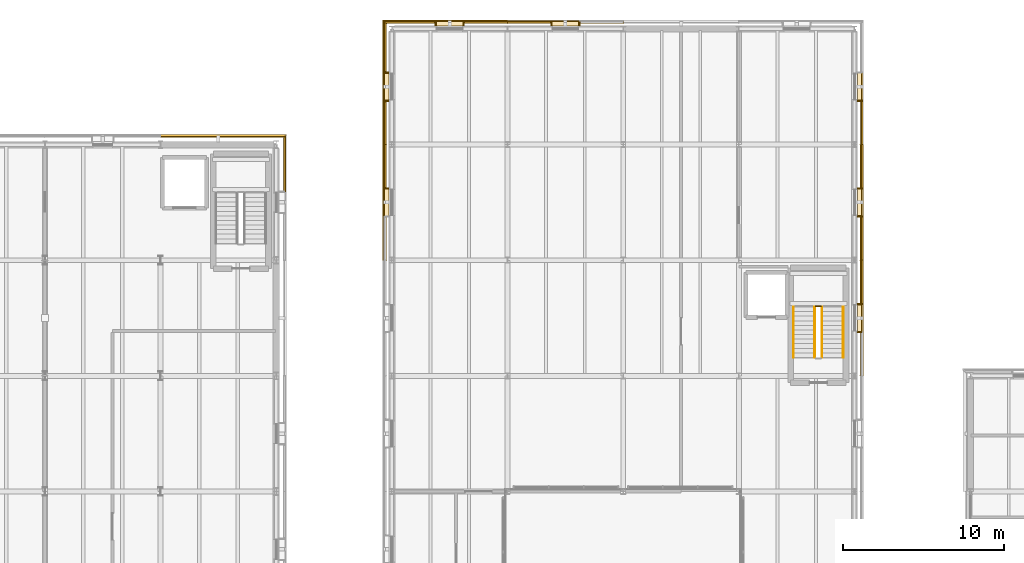
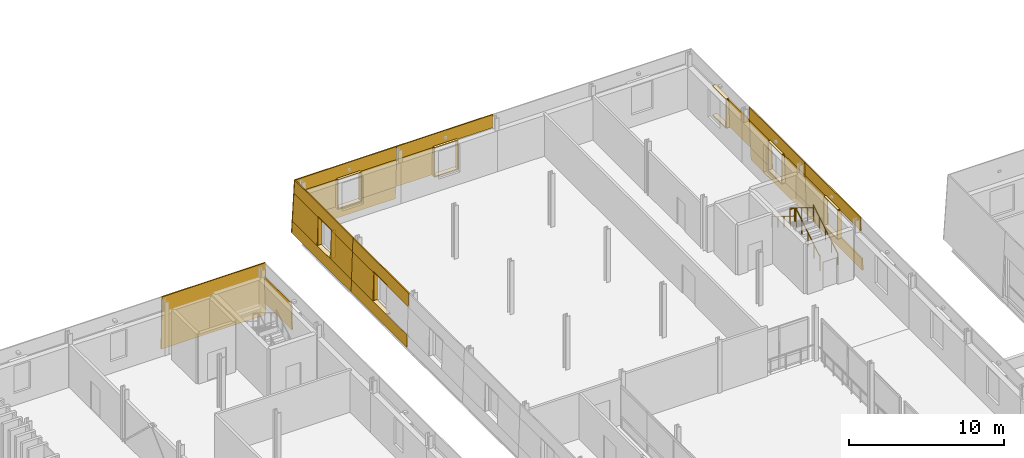
# One storey, part 84 of 91: 49 coverings, 5 railings.
"""IFC4 building model written with IfcOpenShell, lengths in metres."""

from ifc_helpers import new_model, si_unit, direction, frame, origin, origin_2d, place, context, subcontext, project, spatial, polyline, circle, outline, extrude, material, layer, layer_set, type_object, element, save


model = new_model("IFC4")

# Units and contexts
model_context = context("Model", 3, precision=1e-05, world=origin(), true_north=direction((0.0, 1.0)))
body_context = subcontext(model_context, "Body", "Model", "MODEL_VIEW")
ifc_project = project(units=[si_unit("LENGTHUNIT", "METRE"), si_unit("AREAUNIT", "SQUARE_METRE"), si_unit("VOLUMEUNIT", "CUBIC_METRE"), si_unit("PLANEANGLEUNIT", "RADIAN"), si_unit("MASSUNIT", "GRAM", prefix="KILO")], contexts=[model_context])

# Site, building, storey
site_placement = place(None, origin())
site = spatial("IfcSite", under=ifc_project, at=site_placement, CompositionType="ELEMENT")
building_placement = place(site_placement, origin())
building = spatial("IfcBuilding", under=site, at=building_placement, Name="Narikvali Park Central Library", CompositionType="ELEMENT")
storey_placement = place(building_placement, frame((0.0, 0.0, 14.39990234375)))
storey = spatial("IfcBuildingStorey", under=building, at=storey_placement, Name="L03", CompositionType="ELEMENT", Elevation=14.39990234375)

# Coverings
ifc_material_1 = material(Name="White Honed Limestone Cladding", Category="masonry")
ifc_layer_1 = layer(ifc_material_1, 0.0849609375, Name="White Honed Limestone Cladding")
ifc_layer_set_1 = layer_set([ifc_layer_1], Name="White Honed Limestone Cladding")
covering_type_1 = type_object("IfcCoveringType", Name="Battered White Limestone Facade Cladding Panel", PredefinedType="CLADDING", material=ifc_layer_set_1)
covering_1_placement = place(storey_placement, frame((58.15478515625, 93.60009765625, 0.0), z_axis=(0.999434023877, 0.0, 0.033639737186), x_axis=(0.0, 1.0, 0.0)))
element("IfcCovering", 1, at=covering_1_placement, inside=storey, type_object=covering_type_1, Name="V4 L03 E Battered Limestone Spandrel B06", PredefinedType="CLADDING", context=body_context, shape_type="SweptSolid", body=[
    extrude(outline(polyline([(0.0, 0.0), (7.199951171875, 0.0), (7.199951171875, 0.9507334049069504), (0.0, 0.9507334049069504), (0.0, 0.0)])), origin(), (0.0, 0.0, -1.0), 0.0849609375),
])
covering_2_placement = place(storey_placement, frame((58.048828125, 93.60009765625, 3.150146484375), z_axis=(0.999432197748, 0.0, 0.033693947611), x_axis=(0.0, 1.0, 0.0)))
element("IfcCovering", 2, at=covering_2_placement, inside=storey, type_object=covering_type_1, Name="V4 L03 E Battered Limestone Lintel B06", PredefinedType="CLADDING", context=body_context, shape_type="SweptSolid", body=[
    extrude(outline(polyline([(0.0, 0.0), (7.199951171875, 0.0), (7.199951171875, 1.0506453869422776), (0.0, 1.0506453869422776), (0.0, 0.0)])), origin(), (0.0, 0.0, -1.0), 0.0849609375),
])
covering_3_placement = place(storey_placement, frame((58.122802734375, 98.0400390625, 0.9501953125), z_axis=(0.999435139525, 0.0, 0.033606574995), x_axis=(0.0, 1.0, 0.0)))
element("IfcCovering", 3, at=covering_3_placement, inside=storey, type_object=covering_type_1, Name="V4 L03 E Battered Limestone Jamb Pier R B06", PredefinedType="CLADDING", context=body_context, shape_type="SweptSolid", body=[
    extrude(outline(polyline([(0.0, 0.0), (2.760009765625, 0.0), (2.760009765625, 2.201194539668489), (0.0, 2.201194539668489), (0.0, 0.0)])), origin(), (0.0, 0.0, -1.0), 0.0849609375),
])
covering_4_placement = place(storey_placement, frame((58.15478515625, 100.800048828125, 0.0), z_axis=(0.999434023877, 0.0, 0.033639737186), x_axis=(0.0, 1.0, 0.0)))
element("IfcCovering", 4, at=covering_4_placement, inside=storey, type_object=covering_type_1, Name="V4 L03 E Battered Limestone Spandrel B07", PredefinedType="CLADDING", context=body_context, shape_type="SweptSolid", body=[
    extrude(outline(polyline([(0.0, 0.0), (7.199951171875, 0.0), (7.199951171875, 0.9507334049069504), (0.0, 0.9507334049069504), (0.0, 0.0)])), origin(), (0.0, 0.0, -1.0), 0.0849609375),
])
covering_5_placement = place(storey_placement, frame((58.048828125, 100.800048828125, 3.150146484375), z_axis=(0.999432197748, 0.0, 0.033693947611), x_axis=(0.0, 1.0, 0.0)))
element("IfcCovering", 5, at=covering_5_placement, inside=storey, type_object=covering_type_1, Name="V4 L03 E Battered Limestone Lintel B07", PredefinedType="CLADDING", context=body_context, shape_type="SweptSolid", body=[
    extrude(outline(polyline([(0.0, 0.0), (7.199951171875, 0.0), (7.199951171875, 1.0506453869422776), (0.0, 1.0506453869422776), (0.0, 0.0)])), origin(), (0.0, 0.0, -1.0), 0.0849609375),
])
for number, where, z_axis, x_axis, name in (
    (6, (58.122802734375, 100.800048828125, 0.9501953125), (0.999435139525, 0.0, 0.033606574995), (0.0, 1.0, 0.0), "V4 L03 E Battered Limestone Jamb Pier L B07"),
    (7, (58.122802734375, 105.239990234375, 0.9501953125), (0.999435139525, 0.0, 0.033606574995), (0.0, 1.0, 0.0), "V4 L03 E Battered Limestone Jamb Pier R B07"),
    (8, (58.122802734375, 108.0, 0.9501953125), (0.999435139525, 0.0, 0.033606574995), (0.0, 1.0, 0.0), "V4 L03 E Battered Limestone Jamb Pier L B08"),
):
    element("IfcCovering", number, at=place(storey_placement, frame(where, z_axis=z_axis, x_axis=x_axis)), inside=storey, type_object=covering_type_1, Name=name, PredefinedType="CLADDING", context=body_context, shape_type="SweptSolid", body=[
        extrude(outline(polyline([(0.0, 0.0), (2.760009765625, 0.0), (2.760009765625, 2.201194539668489), (0.0, 2.201194539668489), (0.0, 0.0)])), origin(), (0.0, 0.0, -1.0), 0.0849609375),
    ])
covering_6_placement = place(storey_placement, frame((43.199951171875, 115.648681640625, 3.150146484375), z_axis=(0.0, 0.999439995942, 0.033461836646), x_axis=(-1.0, 0.0, 0.0)))
element("IfcCovering", 9, at=covering_6_placement, inside=storey, type_object=covering_type_1, Name="V4 L03 N Battered Limestone Lintel B03", PredefinedType="CLADDING", context=body_context, shape_type="SweptSolid", body=[
    extrude(outline(polyline([(0.0, 0.0), (7.199951171875, 0.0), (7.199951171875, 1.0506371892145967), (0.0, 1.0506371892145967), (0.0, 0.0)])), origin(), (0.0, 0.0, -1.0), 0.0849609375),
])
covering_7_placement = place(storey_placement, frame((38.760009765625, 115.722900390625, 0.9501953125), z_axis=(0.0, 0.999431408105, 0.033717361898), x_axis=(-1.0, 0.0, 0.0)))
element("IfcCovering", 10, at=covering_7_placement, inside=storey, type_object=covering_type_1, Name="V4 L03 N Battered Limestone Jamb Pier R B03", PredefinedType="CLADDING", context=body_context, shape_type="SweptSolid", body=[
    extrude(outline(polyline([(0.0, 0.0), (2.760009765625, 0.0), (2.760009765625, 2.2012027579225295), (0.0, 2.2012027579225295), (0.0, 0.0)])), origin(), (0.0, 0.0, -1.0), 0.0849609375),
])
covering_8_placement = place(storey_placement, frame((36.0, 115.7548828125, 0.0), z_axis=(0.0, 0.999434023877, 0.033639737186), x_axis=(-1.0, 0.0, 0.0)))
element("IfcCovering", 11, at=covering_8_placement, inside=storey, type_object=covering_type_1, Name="V4 L03 N Battered Limestone Spandrel B04", PredefinedType="CLADDING", context=body_context, shape_type="SweptSolid", body=[
    extrude(outline(polyline([(0.0, 0.0), (7.7548828125, 0.0), (7.722900390625, 0.9507334049069504), (0.0, 0.9507334049069504), (0.0, 0.0)])), origin(), (0.0, 0.0, -1.0), 0.0849609375),
])
covering_9_placement = place(storey_placement, frame((36.0, 115.648681640625, 3.150146484375), z_axis=(0.0, 0.999439995942, 0.033461836646), x_axis=(-1.0, 0.0, 0.0)))
element("IfcCovering", 12, at=covering_9_placement, inside=storey, type_object=covering_type_1, Name="V4 L03 N Battered Limestone Lintel B04", PredefinedType="CLADDING", context=body_context, shape_type="SweptSolid", body=[
    extrude(outline(polyline([(0.0, 0.0), (7.648681640625, 0.0), (7.613525390625, 1.0506371892145967), (0.0, 1.0506371892145967), (0.0, 0.0)])), origin(), (0.0, 0.0, -1.0), 0.0849609375),
])
covering_10_placement = place(storey_placement, frame((36.0, 115.722900390625, 0.9501953125), z_axis=(0.0, 0.999431408105, 0.033717361898), x_axis=(-1.0, 0.0, 0.0)))
element("IfcCovering", 13, at=covering_10_placement, inside=storey, type_object=covering_type_1, Name="V4 L03 N Battered Limestone Jamb Pier L B04", PredefinedType="CLADDING", context=body_context, shape_type="SweptSolid", body=[
    extrude(outline(polyline([(0.0, 0.0), (2.760009765625, 0.0), (2.760009765625, 2.2012027579225295), (0.0, 2.2012027579225295), (0.0, 0.0)])), origin(), (0.0, 0.0, -1.0), 0.0849609375),
])
covering_11_placement = place(storey_placement, frame((31.56005859375, 115.722900390625, 0.9501953125), z_axis=(0.0, 0.999431408105, 0.033717361898), x_axis=(-1.0, 0.0, 0.0)))
element("IfcCovering", 14, at=covering_11_placement, inside=storey, type_object=covering_type_1, Name="V4 L03 N Battered Limestone Jamb Pier R B04", PredefinedType="CLADDING", context=body_context, shape_type="SweptSolid", body=[
    extrude(outline(polyline([(0.0, 0.0), (3.282958984375, 0.0), (3.208740234375, 2.2012027579225295), (0.0, 2.2012027579225295), (0.0, 0.0)])), origin(), (0.0, 0.0, -1.0), 0.0849609375),
])
covering_12_placement = place(storey_placement, frame((28.2451171875, 115.669921875, 0.0), z_axis=(-0.999434023877, 0.0, 0.033639737186), x_axis=(0.0, -1.0, 0.0)))
element("IfcCovering", 15, at=covering_12_placement, inside=storey, type_object=covering_type_1, Name="V4 L03 W Battered Limestone Spandrel B01", PredefinedType="CLADDING", context=body_context, shape_type="SweptSolid", body=[
    extrude(outline(polyline([(0.0, 0.0), (7.669921875, 0.0), (7.669921875, 0.9507334049069504), (0.031982421875, 0.9507334049069504), (0.0, 0.0)])), origin(), (0.0, 0.0, -1.0), 0.0849609375),
])
covering_13_placement = place(storey_placement, frame((28.351318359375, 115.563720703125, 3.150146484375), z_axis=(-0.999439995942, 0.0, 0.033461836646), x_axis=(0.0, -1.0, 0.0)))
element("IfcCovering", 16, at=covering_13_placement, inside=storey, type_object=covering_type_1, Name="V4 L03 W Battered Limestone Lintel B01", PredefinedType="CLADDING", context=body_context, shape_type="SweptSolid", body=[
    extrude(outline(polyline([(0.0, 0.0), (7.563720703125, 0.0), (7.563720703125, 1.0506371892145967), (0.03515625, 1.0506371892145967), (0.0, 0.0)])), origin(), (0.0, 0.0, -1.0), 0.0849609375),
])
covering_14_placement = place(storey_placement, frame((28.277099609375, 115.637939453125, 0.9501953125), z_axis=(-0.999431408105, 0.0, 0.033717361898), x_axis=(0.0, -1.0, 0.0)))
element("IfcCovering", 17, at=covering_14_placement, inside=storey, type_object=covering_type_1, Name="V4 L03 W Battered Limestone Jamb Pier L B01", PredefinedType="CLADDING", context=body_context, shape_type="SweptSolid", body=[
    extrude(outline(polyline([(0.0, 0.0), (3.197998046875, 0.0), (3.197998046875, 2.201202757922529), (0.07421875, 2.201202757922529), (0.0, 0.0)])), origin(), (0.0, 0.0, -1.0), 0.0849609375),
])
covering_15_placement = place(storey_placement, frame((28.277099609375, 110.760009765625, 0.9501953125), z_axis=(-0.999431408105, 0.0, 0.033717361898), x_axis=(0.0, -1.0, 0.0)))
element("IfcCovering", 18, at=covering_15_placement, inside=storey, type_object=covering_type_1, Name="V4 L03 W Battered Limestone Jamb Pier R B01", PredefinedType="CLADDING", context=body_context, shape_type="SweptSolid", body=[
    extrude(outline(polyline([(0.0, 0.0), (2.760009765625, 0.0), (2.760009765625, 2.2012027579225295), (0.0, 2.2012027579225295), (0.0, 0.0)])), origin(), (0.0, 0.0, -1.0), 0.0849609375),
])
covering_16_placement = place(storey_placement, frame((28.2451171875, 108.0, 0.0), z_axis=(-0.999434023877, 0.0, 0.033639737186), x_axis=(0.0, -1.0, 0.0)))
element("IfcCovering", 19, at=covering_16_placement, inside=storey, type_object=covering_type_1, Name="V4 L03 W Battered Limestone Spandrel B02", PredefinedType="CLADDING", context=body_context, shape_type="SweptSolid", body=[
    extrude(outline(polyline([(0.0, 0.0), (7.199951171875, 0.0), (7.199951171875, 0.9507334049069504), (0.0, 0.9507334049069504), (0.0, 0.0)])), origin(), (0.0, 0.0, -1.0), 0.0849609375),
])
covering_17_placement = place(storey_placement, frame((28.351318359375, 108.0, 3.150146484375), z_axis=(-0.999439995942, 0.0, 0.033461836646), x_axis=(0.0, -1.0, 0.0)))
element("IfcCovering", 20, at=covering_17_placement, inside=storey, type_object=covering_type_1, Name="V4 L03 W Battered Limestone Lintel B02", PredefinedType="CLADDING", context=body_context, shape_type="SweptSolid", body=[
    extrude(outline(polyline([(0.0, 0.0), (7.199951171875, 0.0), (7.199951171875, 1.0506371892145967), (0.0, 1.0506371892145967), (0.0, 0.0)])), origin(), (0.0, 0.0, -1.0), 0.0849609375),
])
covering_18_placement = place(storey_placement, frame((28.277099609375, 108.0, 0.9501953125), z_axis=(-0.999431408105, 0.0, 0.033717361898), x_axis=(0.0, -1.0, 0.0)))
element("IfcCovering", 21, at=covering_18_placement, inside=storey, type_object=covering_type_1, Name="V4 L03 W Battered Limestone Jamb Pier L B02", PredefinedType="CLADDING", context=body_context, shape_type="SweptSolid", body=[
    extrude(outline(polyline([(0.0, 0.0), (2.760009765625, 0.0), (2.760009765625, 2.2012027579225295), (0.0, 2.2012027579225295), (0.0, 0.0)])), origin(), (0.0, 0.0, -1.0), 0.0849609375),
])
covering_19_placement = place(storey_placement, frame((22.20458984375, 105.0400390625, 0.9501953125), z_axis=(0.99959725493, 0.0, 0.028378300447), x_axis=(0.0, 1.0, 0.0)))
element("IfcCovering", 22, at=covering_19_placement, inside=storey, type_object=covering_type_1, Name="V5 L03 E Battered Limestone Jamb Pier R B11", PredefinedType="CLADDING", context=body_context, shape_type="SweptSolid", body=[
    extrude(outline(polyline([(0.0, 0.0), (3.4794921875, 0.0), (3.41845703125, 2.150768555182125), (0.0, 2.150768555182125), (0.0, 0.0)])), origin(), (0.0, 0.0, -1.0), 0.0849609375),
])
covering_20_placement = place(storey_placement, frame((22.2314453125, 108.631591796875, 0.0), z_axis=(0.0, 0.999596293445, 0.028412147611), x_axis=(-1.0, 0.0, 0.0)))
element("IfcCovering", 23, at=covering_20_placement, inside=storey, type_object=covering_type_1, Name="V5 L03 N Battered Limestone Panel B01", PredefinedType="CLADDING", context=body_context, shape_type="SweptSolid", body=[
    extrude(outline(polyline([(0.0, 0.0), (7.83154296875, 0.0), (7.83154296875, 4.201891643701716), (0.119140625, 4.201891643701716), (0.0, 0.0)])), origin(), (0.0, 0.0, -1.0), 0.0849609375),
])
ifc_layer_2 = layer(ifc_material_1, 0.080078125, Name="White Honed Limestone Cladding")
ifc_layer_set_2 = layer_set([ifc_layer_2], Name="White Honed Limestone Cladding")
covering_type_2 = type_object("IfcCoveringType", Name="Deep Carved White Limestone Window Reveal", PredefinedType="CLADDING", material=ifc_layer_set_2)
covering_21_placement = place(storey_placement, frame((0.0, 0.0, 3.150146484375)))
element("IfcCovering", 24, at=covering_21_placement, inside=storey, type_object=covering_type_2, Name="Deep Stone Reveal Head V4-RVL-L03-E-B06", PredefinedType="CLADDING", context=body_context, shape_type="SweptSolid", body=[
    extrude(outline(polyline([(57.784912109375, 96.320068359375), (57.784912109375, 98.080078125), (58.048828125, 98.080078125), (58.048828125, 96.320068359375), (57.784912109375, 96.320068359375)])), origin(), (0.0, 0.0, 1.0), 0.079833984375),
])
covering_22_placement = place(storey_placement, frame((0.0, 0.0, 0.8701171875)))
element("IfcCovering", 25, at=covering_22_placement, inside=storey, type_object=covering_type_2, Name="Deep Stone Reveal Sill V4-RVL-L03-E-B06", PredefinedType="CLADDING", context=body_context, shape_type="SweptSolid", body=[
    extrude(outline(polyline([(57.784912109375, 96.320068359375), (57.784912109375, 98.080078125), (58.122802734375, 98.080078125), (58.122802734375, 96.320068359375), (57.784912109375, 96.320068359375)])), origin(), (0.0, 0.0, 1.0), 0.080078125),
])
covering_23_placement = place(storey_placement, frame((0.0, 0.0, 0.9501953125)))
element("IfcCovering", 26, at=covering_23_placement, inside=storey, type_object=covering_type_2, Name="Deep Stone Reveal Jamb L V4-RVL-L03-E-B06", PredefinedType="CLADDING", context=body_context, shape_type="SweptSolid", body=[
    extrude(outline(polyline([(57.784912109375, 96.280029296875), (57.784912109375, 96.360107421875), (58.048828125, 96.360107421875), (58.048828125, 96.280029296875), (57.784912109375, 96.280029296875)])), origin(), (0.0, 0.0, 1.0), 2.199951171875),
])
covering_24_placement = place(storey_placement, frame((0.0, 0.0, 0.9501953125)))
element("IfcCovering", 27, at=covering_24_placement, inside=storey, type_object=covering_type_2, Name="Deep Stone Reveal Jamb R V4-RVL-L03-E-B06", PredefinedType="CLADDING", context=body_context, shape_type="SweptSolid", body=[
    extrude(outline(polyline([(57.784912109375, 98.0400390625), (57.784912109375, 98.1201171875), (58.048828125, 98.1201171875), (58.048828125, 98.0400390625), (57.784912109375, 98.0400390625)])), origin(), (0.0, 0.0, 1.0), 2.199951171875),
])
covering_25_placement = place(storey_placement, frame((0.0, 0.0, 3.150146484375)))
element("IfcCovering", 28, at=covering_25_placement, inside=storey, type_object=covering_type_2, Name="Deep Stone Reveal Head V4-RVL-L03-E-B07", PredefinedType="CLADDING", context=body_context, shape_type="SweptSolid", body=[
    extrude(outline(polyline([(57.784912109375, 103.52001953125), (57.784912109375, 105.280029296875), (58.048828125, 105.280029296875), (58.048828125, 103.52001953125), (57.784912109375, 103.52001953125)])), origin(), (0.0, 0.0, 1.0), 0.079833984375),
])
covering_26_placement = place(storey_placement, frame((0.0, 0.0, 0.8701171875)))
element("IfcCovering", 29, at=covering_26_placement, inside=storey, type_object=covering_type_2, Name="Deep Stone Reveal Sill V4-RVL-L03-E-B07", PredefinedType="CLADDING", context=body_context, shape_type="SweptSolid", body=[
    extrude(outline(polyline([(57.784912109375, 103.52001953125), (57.784912109375, 105.280029296875), (58.122802734375, 105.280029296875), (58.122802734375, 103.52001953125), (57.784912109375, 103.52001953125)])), origin(), (0.0, 0.0, 1.0), 0.080078125),
])
covering_27_placement = place(storey_placement, frame((0.0, 0.0, 0.9501953125)))
element("IfcCovering", 30, at=covering_27_placement, inside=storey, type_object=covering_type_2, Name="Deep Stone Reveal Jamb L V4-RVL-L03-E-B07", PredefinedType="CLADDING", context=body_context, shape_type="SweptSolid", body=[
    extrude(outline(polyline([(57.784912109375, 103.47998046875), (57.784912109375, 103.56005859375), (58.048828125, 103.56005859375), (58.048828125, 103.47998046875), (57.784912109375, 103.47998046875)])), origin(), (0.0, 0.0, 1.0), 2.199951171875),
])
covering_28_placement = place(storey_placement, frame((0.0, 0.0, 0.9501953125)))
element("IfcCovering", 31, at=covering_28_placement, inside=storey, type_object=covering_type_2, Name="Deep Stone Reveal Jamb R V4-RVL-L03-E-B07", PredefinedType="CLADDING", context=body_context, shape_type="SweptSolid", body=[
    extrude(outline(polyline([(57.784912109375, 105.239990234375), (57.784912109375, 105.320068359375), (58.048828125, 105.320068359375), (58.048828125, 105.239990234375), (57.784912109375, 105.239990234375)])), origin(), (0.0, 0.0, 1.0), 2.199951171875),
])
covering_29_placement = place(storey_placement, frame((0.0, 0.0, 3.150146484375)))
element("IfcCovering", 32, at=covering_29_placement, inside=storey, type_object=covering_type_2, Name="Deep Stone Reveal Head V4-RVL-L03-E-B08", PredefinedType="CLADDING", context=body_context, shape_type="SweptSolid", body=[
    extrude(outline(polyline([(57.784912109375, 110.719970703125), (57.784912109375, 112.47998046875), (58.048828125, 112.47998046875), (58.048828125, 110.719970703125), (57.784912109375, 110.719970703125)])), origin(), (0.0, 0.0, 1.0), 0.079833984375),
])
covering_30_placement = place(storey_placement, frame((0.0, 0.0, 0.8701171875)))
element("IfcCovering", 33, at=covering_30_placement, inside=storey, type_object=covering_type_2, Name="Deep Stone Reveal Sill V4-RVL-L03-E-B08", PredefinedType="CLADDING", context=body_context, shape_type="SweptSolid", body=[
    extrude(outline(polyline([(57.784912109375, 110.719970703125), (57.784912109375, 112.47998046875), (58.122802734375, 112.47998046875), (58.122802734375, 110.719970703125), (57.784912109375, 110.719970703125)])), origin(), (0.0, 0.0, 1.0), 0.080078125),
])
covering_31_placement = place(storey_placement, frame((0.0, 0.0, 0.9501953125)))
element("IfcCovering", 34, at=covering_31_placement, inside=storey, type_object=covering_type_2, Name="Deep Stone Reveal Jamb L V4-RVL-L03-E-B08", PredefinedType="CLADDING", context=body_context, shape_type="SweptSolid", body=[
    extrude(outline(polyline([(57.784912109375, 110.679931640625), (57.784912109375, 110.760009765625), (58.048828125, 110.760009765625), (58.048828125, 110.679931640625), (57.784912109375, 110.679931640625)])), origin(), (0.0, 0.0, 1.0), 2.199951171875),
])
covering_32_placement = place(storey_placement, frame((0.0, 0.0, 3.150146484375)))
element("IfcCovering", 35, at=covering_32_placement, inside=storey, type_object=covering_type_2, Name="Deep Stone Reveal Head V4-RVL-L03-N-B03", PredefinedType="CLADDING", context=body_context, shape_type="SweptSolid", body=[
    extrude(outline(polyline([(40.47998046875, 115.385009765625), (38.719970703125, 115.385009765625), (38.719970703125, 115.648681640625), (40.47998046875, 115.648681640625), (40.47998046875, 115.385009765625)])), origin(), (0.0, 0.0, 1.0), 0.079833984375),
])
covering_33_placement = place(storey_placement, frame((0.0, 0.0, 0.8701171875)))
element("IfcCovering", 36, at=covering_33_placement, inside=storey, type_object=covering_type_2, Name="Deep Stone Reveal Sill V4-RVL-L03-N-B03", PredefinedType="CLADDING", context=body_context, shape_type="SweptSolid", body=[
    extrude(outline(polyline([(40.47998046875, 115.385009765625), (38.719970703125, 115.385009765625), (38.719970703125, 115.722900390625), (40.47998046875, 115.722900390625), (40.47998046875, 115.385009765625)])), origin(), (0.0, 0.0, 1.0), 0.080078125),
])
covering_34_placement = place(storey_placement, frame((0.0, 0.0, 0.9501953125)))
element("IfcCovering", 37, at=covering_34_placement, inside=storey, type_object=covering_type_2, Name="Deep Stone Reveal Jamb L V4-RVL-L03-N-B03", PredefinedType="CLADDING", context=body_context, shape_type="SweptSolid", body=[
    extrude(outline(polyline([(40.52001953125, 115.385009765625), (40.43994140625, 115.385009765625), (40.43994140625, 115.648681640625), (40.52001953125, 115.648681640625), (40.52001953125, 115.385009765625)])), origin(), (0.0, 0.0, 1.0), 2.199951171875),
])
covering_35_placement = place(storey_placement, frame((0.0, 0.0, 0.9501953125)))
element("IfcCovering", 38, at=covering_35_placement, inside=storey, type_object=covering_type_2, Name="Deep Stone Reveal Jamb R V4-RVL-L03-N-B03", PredefinedType="CLADDING", context=body_context, shape_type="SweptSolid", body=[
    extrude(outline(polyline([(38.760009765625, 115.385009765625), (38.679931640625, 115.385009765625), (38.679931640625, 115.648681640625), (38.760009765625, 115.648681640625), (38.760009765625, 115.385009765625)])), origin(), (0.0, 0.0, 1.0), 2.199951171875),
])
covering_36_placement = place(storey_placement, frame((0.0, 0.0, 3.150146484375)))
element("IfcCovering", 39, at=covering_36_placement, inside=storey, type_object=covering_type_2, Name="Deep Stone Reveal Head V4-RVL-L03-N-B04", PredefinedType="CLADDING", context=body_context, shape_type="SweptSolid", body=[
    extrude(outline(polyline([(33.280029296875, 115.385009765625), (31.52001953125, 115.385009765625), (31.52001953125, 115.648681640625), (33.280029296875, 115.648681640625), (33.280029296875, 115.385009765625)])), origin(), (0.0, 0.0, 1.0), 0.079833984375),
])
covering_37_placement = place(storey_placement, frame((0.0, 0.0, 0.8701171875)))
element("IfcCovering", 40, at=covering_37_placement, inside=storey, type_object=covering_type_2, Name="Deep Stone Reveal Sill V4-RVL-L03-N-B04", PredefinedType="CLADDING", context=body_context, shape_type="SweptSolid", body=[
    extrude(outline(polyline([(33.280029296875, 115.385009765625), (31.52001953125, 115.385009765625), (31.52001953125, 115.722900390625), (33.280029296875, 115.722900390625), (33.280029296875, 115.385009765625)])), origin(), (0.0, 0.0, 1.0), 0.080078125),
])
covering_38_placement = place(storey_placement, frame((0.0, 0.0, 0.9501953125)))
element("IfcCovering", 41, at=covering_38_placement, inside=storey, type_object=covering_type_2, Name="Deep Stone Reveal Jamb L V4-RVL-L03-N-B04", PredefinedType="CLADDING", context=body_context, shape_type="SweptSolid", body=[
    extrude(outline(polyline([(33.320068359375, 115.385009765625), (33.239990234375, 115.385009765625), (33.239990234375, 115.648681640625), (33.320068359375, 115.648681640625), (33.320068359375, 115.385009765625)])), origin(), (0.0, 0.0, 1.0), 2.199951171875),
])
covering_39_placement = place(storey_placement, frame((0.0, 0.0, 0.9501953125)))
element("IfcCovering", 42, at=covering_39_placement, inside=storey, type_object=covering_type_2, Name="Deep Stone Reveal Jamb R V4-RVL-L03-N-B04", PredefinedType="CLADDING", context=body_context, shape_type="SweptSolid", body=[
    extrude(outline(polyline([(31.56005859375, 115.385009765625), (31.47998046875, 115.385009765625), (31.47998046875, 115.648681640625), (31.56005859375, 115.648681640625), (31.56005859375, 115.385009765625)])), origin(), (0.0, 0.0, 1.0), 2.199951171875),
])
covering_40_placement = place(storey_placement, frame((0.0, 0.0, 3.150146484375)))
element("IfcCovering", 43, at=covering_40_placement, inside=storey, type_object=covering_type_2, Name="Deep Stone Reveal Head V4-RVL-L03-W-B01", PredefinedType="CLADDING", context=body_context, shape_type="SweptSolid", body=[
    extrude(outline(polyline([(28.614990234375, 112.47998046875), (28.614990234375, 110.719970703125), (28.351318359375, 110.719970703125), (28.351318359375, 112.47998046875), (28.614990234375, 112.47998046875)])), origin(), (0.0, 0.0, 1.0), 0.079833984375),
])
covering_41_placement = place(storey_placement, frame((0.0, 0.0, 0.8701171875)))
element("IfcCovering", 44, at=covering_41_placement, inside=storey, type_object=covering_type_2, Name="Deep Stone Reveal Sill V4-RVL-L03-W-B01", PredefinedType="CLADDING", context=body_context, shape_type="SweptSolid", body=[
    extrude(outline(polyline([(28.614990234375, 112.47998046875), (28.614990234375, 110.719970703125), (28.277099609375, 110.719970703125), (28.277099609375, 112.47998046875), (28.614990234375, 112.47998046875)])), origin(), (0.0, 0.0, 1.0), 0.080078125),
])
covering_42_placement = place(storey_placement, frame((0.0, 0.0, 0.9501953125)))
element("IfcCovering", 45, at=covering_42_placement, inside=storey, type_object=covering_type_2, Name="Deep Stone Reveal Jamb L V4-RVL-L03-W-B01", PredefinedType="CLADDING", context=body_context, shape_type="SweptSolid", body=[
    extrude(outline(polyline([(28.614990234375, 112.52001953125), (28.614990234375, 112.43994140625), (28.351318359375, 112.43994140625), (28.351318359375, 112.52001953125), (28.614990234375, 112.52001953125)])), origin(), (0.0, 0.0, 1.0), 2.199951171875),
])
covering_43_placement = place(storey_placement, frame((0.0, 0.0, 0.9501953125)))
element("IfcCovering", 46, at=covering_43_placement, inside=storey, type_object=covering_type_2, Name="Deep Stone Reveal Jamb R V4-RVL-L03-W-B01", PredefinedType="CLADDING", context=body_context, shape_type="SweptSolid", body=[
    extrude(outline(polyline([(28.614990234375, 110.760009765625), (28.614990234375, 110.679931640625), (28.351318359375, 110.679931640625), (28.351318359375, 110.760009765625), (28.614990234375, 110.760009765625)])), origin(), (0.0, 0.0, 1.0), 2.199951171875),
])
covering_44_placement = place(storey_placement, frame((0.0, 0.0, 3.150146484375)))
element("IfcCovering", 47, at=covering_44_placement, inside=storey, type_object=covering_type_2, Name="Deep Stone Reveal Head V4-RVL-L03-W-B02", PredefinedType="CLADDING", context=body_context, shape_type="SweptSolid", body=[
    extrude(outline(polyline([(28.614990234375, 105.280029296875), (28.614990234375, 103.52001953125), (28.351318359375, 103.52001953125), (28.351318359375, 105.280029296875), (28.614990234375, 105.280029296875)])), origin(), (0.0, 0.0, 1.0), 0.079833984375),
])
covering_45_placement = place(storey_placement, frame((0.0, 0.0, 0.8701171875)))
element("IfcCovering", 48, at=covering_45_placement, inside=storey, type_object=covering_type_2, Name="Deep Stone Reveal Sill V4-RVL-L03-W-B02", PredefinedType="CLADDING", context=body_context, shape_type="SweptSolid", body=[
    extrude(outline(polyline([(28.614990234375, 105.280029296875), (28.614990234375, 103.52001953125), (28.277099609375, 103.52001953125), (28.277099609375, 105.280029296875), (28.614990234375, 105.280029296875)])), origin(), (0.0, 0.0, 1.0), 0.080078125),
])
covering_46_placement = place(storey_placement, frame((0.0, 0.0, 0.9501953125)))
element("IfcCovering", 49, at=covering_46_placement, inside=storey, type_object=covering_type_2, Name="Deep Stone Reveal Jamb L V4-RVL-L03-W-B02", PredefinedType="CLADDING", context=body_context, shape_type="SweptSolid", body=[
    extrude(outline(polyline([(28.614990234375, 105.320068359375), (28.614990234375, 105.239990234375), (28.351318359375, 105.239990234375), (28.351318359375, 105.320068359375), (28.614990234375, 105.320068359375)])), origin(), (0.0, 0.0, 1.0), 2.199951171875),
])

# Railings
ifc_material_2 = material(Name="Brushed Stainless Steel S355", Category="steel")
ifc_layer_3 = layer(ifc_material_2, 0.044921875, Name="Brushed Stainless Steel S355")
ifc_layer_set_3 = layer_set([ifc_layer_3], Name="Brushed Stainless Steel S355")
railing_type_1 = type_object("IfcRailingType", Name="Stair Tubular Steel Handrail 900", PredefinedType="HANDRAIL", material=ifc_layer_set_3)
railing_1_placement = place(storey_placement, frame((56.89990234375, 94.75, 0.175048828125)))
element("IfcRailing", 50, at=railing_1_placement, inside=storey, type_object=railing_type_1, Name="L03 ST-08 stair handrail 1", PredefinedType="HANDRAIL", context=body_context, shape_type="SweptSolid", body=[
    extrude(circle(Radius=0.02392578125, at=origin_2d()), frame((0.0, 0.0, 0.8759765625), z_axis=(0.0, 0.852166034122, 0.523271488128), x_axis=(-1.0, 0.0, 0.0)), (0.0, 0.0, 1.0), 3.678955078125),
    extrude(circle(Radius=0.02099609375, at=origin_2d()), origin(), (0.0, 0.0, 1.0), 0.851806640625),
    extrude(circle(Radius=0.02099609375, at=origin_2d()), frame((0.0, 0.78369140625, 0.481201171875)), (0.0, 0.0, 1.0), 0.851806640625),
    extrude(circle(Radius=0.02099609375, at=origin_2d()), frame((0.0, 1.5673828125, 0.96240234375)), (0.0, 0.0, 1.0), 0.851806640625),
    extrude(circle(Radius=0.02099609375, at=origin_2d()), frame((0.0, 2.351318359375, 1.44384765625)), (0.0, 0.0, 1.0), 0.851806640625),
    extrude(circle(Radius=0.02099609375, at=origin_2d()), frame((0.0, 3.135009765625, 1.925048828125)), (0.0, 0.0, 1.0), 0.851806640625),
])
railing_2_placement = place(storey_placement, frame((53.800048828125, 97.885009765625, 2.275146484375)))
element("IfcRailing", 51, at=railing_2_placement, inside=storey, type_object=railing_type_1, Name="L03 ST-08 stair handrail 2", PredefinedType="HANDRAIL", context=body_context, shape_type="SweptSolid", body=[
    extrude(circle(Radius=0.02392578125, at=origin_2d()), frame((0.0, 0.0, 0.8759765625), z_axis=(0.0, -0.852166034122, 0.523271488128), x_axis=(1.0, 0.0, 0.0)), (0.0, 0.0, 1.0), 3.678955078125),
    extrude(circle(Radius=0.02099609375, at=origin_2d()), origin(), (0.0, 0.0, 1.0), 0.851806640625),
    extrude(circle(Radius=0.02099609375, at=origin_2d()), frame((0.0, -0.78369140625, 0.481201171875)), (0.0, 0.0, 1.0), 0.851806640625),
    extrude(circle(Radius=0.02099609375, at=origin_2d()), frame((0.0, -1.5673828125, 0.96240234375)), (0.0, 0.0, 1.0), 0.851806640625),
    extrude(circle(Radius=0.02099609375, at=origin_2d()), frame((0.0, -2.351318359375, 1.44384765625)), (0.0, 0.0, 1.0), 0.851806640625),
    extrude(circle(Radius=0.02099609375, at=origin_2d()), frame((0.0, -3.135009765625, 1.925048828125)), (0.0, 0.0, 1.0), 0.851806640625),
])
ifc_material_3 = material(Name="Powder-Coated Steel S275", Category="steel")
ifc_layer_4 = layer(ifc_material_3, 0.050048828125, Name="Powder-Coated Steel S275")
ifc_layer_set_4 = layer_set([ifc_layer_4], Name="Powder-Coated Steel S275")
railing_type_2 = type_object("IfcRailingType", Name="Stair Well Steel Guardrail 1100", PredefinedType="GUARDRAIL", material=ifc_layer_set_4)
railing_3_placement = place(storey_placement, frame((55.580078125, 94.75, 0.175048828125)))
element("IfcRailing", 52, at=railing_3_placement, inside=storey, type_object=railing_type_2, Name="L03 ST-08 stair guard 1", PredefinedType="GUARDRAIL", context=body_context, shape_type="SweptSolid", body=[
    extrude(circle(Radius=0.02392578125, at=origin_2d()), frame((0.0, 0.0, 1.076171875), z_axis=(0.0, 0.852166034122, 0.523271488128), x_axis=(-1.0, 0.0, 0.0)), (0.0, 0.0, 1.0), 3.678955078125),
    extrude(circle(Radius=0.02099609375, at=origin_2d()), origin(), (0.0, 0.0, 1.0), 1.052001953125),
    extrude(circle(Radius=0.02099609375, at=origin_2d()), frame((0.0, 0.78369140625, 0.481201171875)), (0.0, 0.0, 1.0), 1.052001953125),
    extrude(circle(Radius=0.02099609375, at=origin_2d()), frame((0.0, 1.5673828125, 0.96240234375)), (0.0, 0.0, 1.0), 1.052001953125),
    extrude(circle(Radius=0.02099609375, at=origin_2d()), frame((0.0, 2.351318359375, 1.44384765625)), (0.0, 0.0, 1.0), 1.052001953125),
    extrude(circle(Radius=0.02099609375, at=origin_2d()), frame((0.0, 3.135009765625, 1.925048828125)), (0.0, 0.0, 1.0), 1.052001953125),
])
railing_4_placement = place(storey_placement, frame((55.530029296875, 97.93505859375, 2.10009765625)))
element("IfcRailing", 53, at=railing_4_placement, inside=storey, type_object=railing_type_2, Name="L03 ST-08 stair guard 2", PredefinedType="GUARDRAIL", context=body_context, shape_type="SweptSolid", body=[
    extrude(circle(Radius=0.02392578125, at=origin_2d()), frame((0.0, 0.0, 1.076171875), z_axis=(-1.0, 0.0, 0.0), x_axis=(0.0, -1.0, 0.0)), (0.0, 0.0, 1.0), 0.360107421875),
    extrude(circle(Radius=0.02099609375, at=origin_2d()), origin(), (0.0, 0.0, 1.0), 1.052001953125),
    extrude(circle(Radius=0.02099609375, at=origin_2d()), frame((-0.360107421875, 0.0, 0.0)), (0.0, 0.0, 1.0), 1.052001953125),
])
railing_5_placement = place(storey_placement, frame((55.1201171875, 97.885009765625, 2.275146484375)))
element("IfcRailing", 54, at=railing_5_placement, inside=storey, type_object=railing_type_2, Name="L03 ST-08 stair guard 3", PredefinedType="GUARDRAIL", context=body_context, shape_type="SweptSolid", body=[
    extrude(circle(Radius=0.02392578125, at=origin_2d()), frame((0.0, 0.0, 1.076171875), z_axis=(0.0, -0.852166034122, 0.523271488128), x_axis=(1.0, 0.0, 0.0)), (0.0, 0.0, 1.0), 3.678955078125),
    extrude(circle(Radius=0.02099609375, at=origin_2d()), origin(), (0.0, 0.0, 1.0), 1.052001953125),
    extrude(circle(Radius=0.02099609375, at=origin_2d()), frame((0.0, -0.78369140625, 0.481201171875)), (0.0, 0.0, 1.0), 1.052001953125),
    extrude(circle(Radius=0.02099609375, at=origin_2d()), frame((0.0, -1.5673828125, 0.96240234375)), (0.0, 0.0, 1.0), 1.052001953125),
    extrude(circle(Radius=0.02099609375, at=origin_2d()), frame((0.0, -2.351318359375, 1.44384765625)), (0.0, 0.0, 1.0), 1.052001953125),
    extrude(circle(Radius=0.02099609375, at=origin_2d()), frame((0.0, -3.135009765625, 1.925048828125)), (0.0, 0.0, 1.0), 1.052001953125),
])

save(model, "model.ifc")
